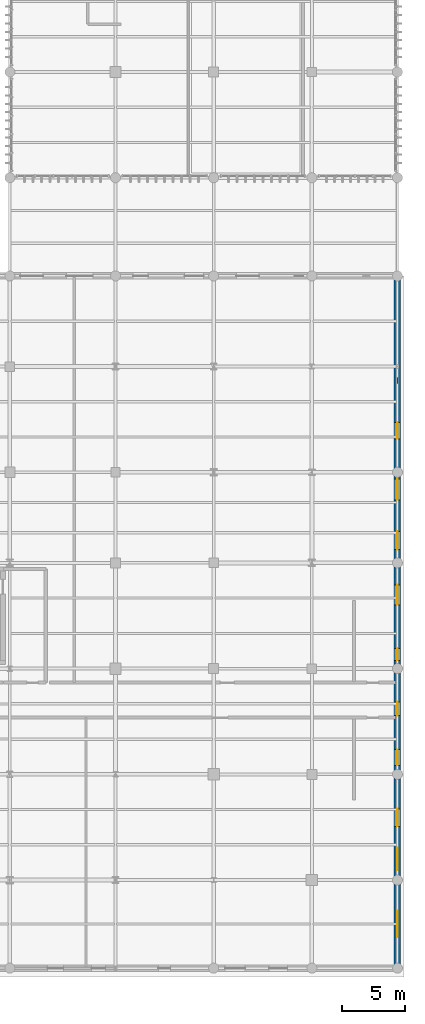
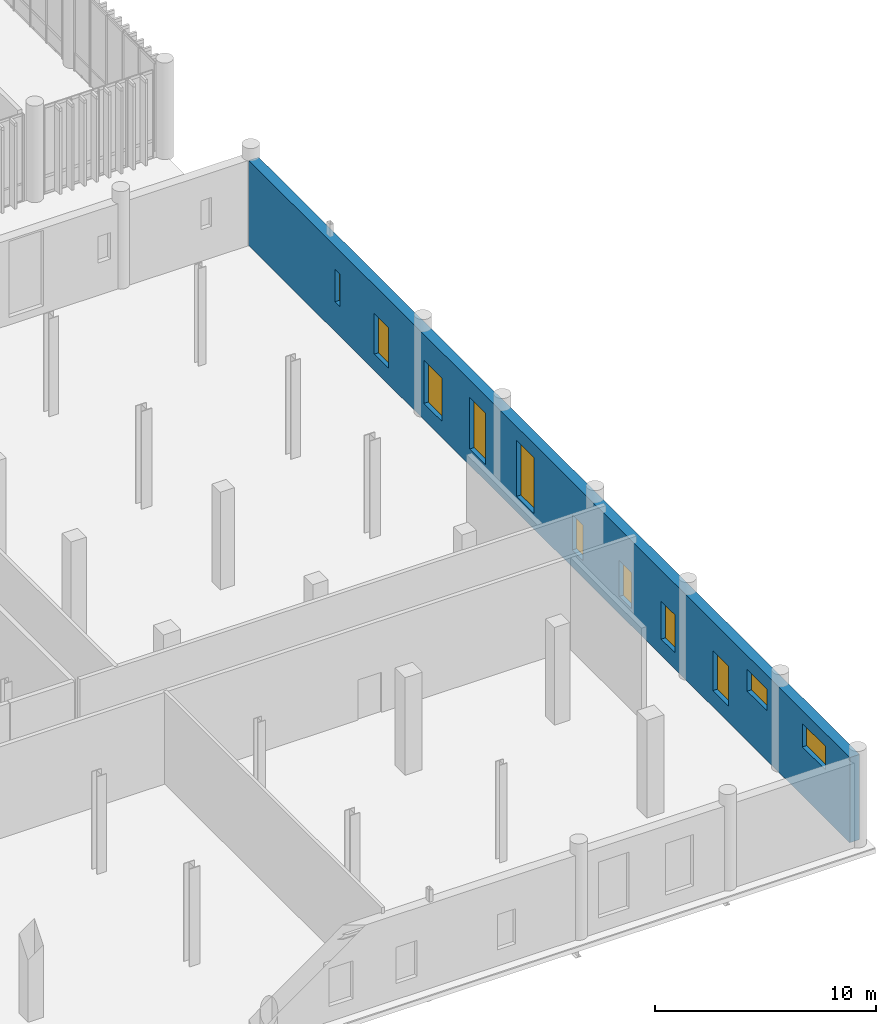
# One storey, part 111 of 128: 11 windows, 1 wall, 11 openings.
"""IFC4 building model written with IfcOpenShell, lengths in metres."""

from ifc_helpers import new_model, si_unit, direction, frame, frame_2d, origin_with_axes, place, context, subcontext, project, spatial, rectangle, extrude, material, layer, layer_set, type_object, element, fill, save


model = new_model("IFC4")

# Units and contexts
model_context = context("Model", 3, precision=1e-05, world=origin_with_axes(), true_north=direction((0.0, 1.0)))
body_context = subcontext(model_context, "Body", "Model", "MODEL_VIEW")
ifc_project = project(units=[si_unit("LENGTHUNIT", "METRE"), si_unit("AREAUNIT", "SQUARE_METRE"), si_unit("VOLUMEUNIT", "CUBIC_METRE"), si_unit("PLANEANGLEUNIT", "RADIAN"), si_unit("MASSUNIT", "GRAM", prefix="KILO"), si_unit("THERMODYNAMICTEMPERATUREUNIT", "KELVIN")], contexts=[model_context])

# Site, building, storey
site_placement = place(None, origin_with_axes())
site = spatial("IfcSite", under=ifc_project, at=site_placement, CompositionType="ELEMENT")
building_placement = place(site_placement, origin_with_axes())
building = spatial("IfcBuilding", under=site, at=building_placement, Name="Montbau Bow Law Courts", CompositionType="ELEMENT")
storey_placement = place(building_placement, frame((0.0, 0.0, 5.4), z_axis=(0.0, 0.0, 1.0), x_axis=(1.0, 0.0, 0.0)))
storey = spatial("IfcBuildingStorey", under=building, at=storey_placement, Name="L01", CompositionType="ELEMENT", Elevation=5.4)

# Wall, openings, windows
ifc_material_1 = material(Name="Canmore Rundlestone Plinth Masonry on Concrete Backing CSA A23.1 f'c 35 MPa", Category="masonry")
ifc_layer = layer(ifc_material_1, 0.52, Name="Solid Wall", Category="masonry")
ifc_layer_set = layer_set([ifc_layer], Name="Canmore Rundlestone Plinth Masonry on Concrete Backing CSA A23.1 f'c 35 MPa")
wall_type = type_object("IfcWallType", Name="W-EXT-02", PredefinedType="SOLIDWALL", material=ifc_layer_set)
wall_placement = place(None, frame((169.4, 7.06, 5.4), z_axis=(0.0, 0.0, 1.0), x_axis=(0.0, 1.0, 0.0)))
wall = element("IfcWall", 1, at=wall_placement, inside=storey, type_object=wall_type, Name="WE-L01-017:wal_0034", PredefinedType="SOLIDWALL", context=body_context, shape_type="SweptSolid", body=[
    extrude(rectangle(XDim=54.48, YDim=0.52, at=frame_2d((27.24, 0.0), x_axis=(1.0, 0.0))), origin_with_axes(), (0.0, 0.0, 1.0), 4.714),
])
opening_1_placement = place(None, frame((169.4, 10.31, 8.1), z_axis=(0.0, 0.0, 1.0), x_axis=(0.0, 1.0, 0.0)))
opening_1 = element("IfcOpeningElement", 2, at=opening_1_placement, cuts=wall, Name="OP-WN-L01-072", PredefinedType="OPENING", context=body_context, shape_type="SweptSolid", body=[
    extrude(rectangle(XDim=2.1, YDim=1.3, at=frame_2d((0.0, 0.65), x_axis=(1.0, 0.0))), frame((0.0, 0.27, 0.0), z_axis=(0.0, -1.0, 0.0), x_axis=(1.0, 0.0, 0.0)), (0.0, 0.0, 1.0), 0.54),
])
opening_2_placement = place(None, frame((169.4, 15.46, 8.15), z_axis=(0.0, 0.0, 1.0), x_axis=(0.0, 1.0, 0.0)))
opening_2 = element("IfcOpeningElement", 3, at=opening_2_placement, cuts=wall, Name="OP-WN-L01-073", PredefinedType="OPENING", context=body_context, shape_type="SweptSolid", body=[
    extrude(rectangle(XDim=1.8, YDim=1.2, at=frame_2d((0.0, 0.6), x_axis=(1.0, 0.0))), frame((0.0, 0.27, 0.0), z_axis=(0.0, -1.0, 0.0), x_axis=(1.0, 0.0, 0.0)), (0.0, 0.0, 1.0), 0.54),
])
opening_3_placement = place(None, frame((169.4, 18.76, 6.3), z_axis=(0.0, 0.0, 1.0), x_axis=(0.0, 1.0, 0.0)))
opening_3 = element("IfcOpeningElement", 4, at=opening_3_placement, cuts=wall, Name="OP-WN-L01-074", PredefinedType="OPENING", context=body_context, shape_type="SweptSolid", body=[
    extrude(rectangle(XDim=1.4, YDim=2.2, at=frame_2d((0.0, 1.1), x_axis=(1.0, 0.0))), frame((0.0, 0.27, 0.0), z_axis=(0.0, -1.0, 0.0), x_axis=(1.0, 0.0, 0.0)), (0.0, 0.0, 1.0), 0.54),
])
opening_4_placement = place(None, frame((169.4, 23.535, 6.3), z_axis=(0.0, 0.0, 1.0), x_axis=(0.0, 1.0, 0.0)))
opening_4 = element("IfcOpeningElement", 5, at=opening_4_placement, cuts=wall, Name="OP-WN-L01-075", PredefinedType="OPENING", context=body_context, shape_type="SweptSolid", body=[
    extrude(rectangle(XDim=1.25, YDim=2.1, at=frame_2d((0.0, 1.05), x_axis=(1.0, 0.0))), frame((0.0, 0.27, 0.0), z_axis=(0.0, -1.0, 0.0), x_axis=(1.0, 0.0, 0.0)), (0.0, 0.0, 1.0), 0.54),
])
opening_5_placement = place(None, frame((169.4, 27.41, 6.35), z_axis=(0.0, 0.0, 1.0), x_axis=(0.0, 1.0, 0.0)))
opening_5 = element("IfcOpeningElement", 6, at=opening_5_placement, cuts=wall, Name="OP-WN-L01-076", PredefinedType="OPENING", context=body_context, shape_type="SweptSolid", body=[
    extrude(rectangle(XDim=1.1, YDim=2.0, at=frame_2d((0.0, 1.0), x_axis=(1.0, 0.0))), frame((0.0, 0.27, 0.0), z_axis=(0.0, -1.0, 0.0), x_axis=(1.0, 0.0, 0.0)), (0.0, 0.0, 1.0), 0.54),
])
opening_6_placement = place(None, frame((169.4, 31.735, 6.35), z_axis=(0.0, 0.0, 1.0), x_axis=(0.0, 1.0, 0.0)))
opening_6 = element("IfcOpeningElement", 7, at=opening_6_placement, cuts=wall, Name="OP-WN-L01-077", PredefinedType="OPENING", context=body_context, shape_type="SweptSolid", body=[
    extrude(rectangle(XDim=0.95, YDim=1.95, at=frame_2d((0.0, 0.975), x_axis=(1.0, 0.0))), frame((0.0, 0.27, 0.0), z_axis=(0.0, -1.0, 0.0), x_axis=(1.0, 0.0, 0.0)), (0.0, 0.0, 1.0), 0.54),
])
opening_7_placement = place(None, frame((169.4, 36.46, 6.25), z_axis=(0.0, 0.0, 1.0), x_axis=(0.0, 1.0, 0.0)))
opening_7 = element("IfcOpeningElement", 8, at=opening_7_placement, cuts=wall, Name="OP-WN-L01-078", PredefinedType="OPENING", context=body_context, shape_type="SweptSolid", body=[
    extrude(rectangle(XDim=1.6, YDim=3.1, at=frame_2d((0.0, 1.55), x_axis=(1.0, 0.0))), frame((0.0, 0.27, 0.0), z_axis=(0.0, -1.0, 0.0), x_axis=(1.0, 0.0, 0.0)), (0.0, 0.0, 1.0), 0.54),
])
opening_8_placement = place(None, frame((169.4, 40.785, 6.3), z_axis=(0.0, 0.0, 1.0), x_axis=(0.0, 1.0, 0.0)))
opening_8 = element("IfcOpeningElement", 9, at=opening_8_placement, cuts=wall, Name="OP-WN-L01-079", PredefinedType="OPENING", context=body_context, shape_type="SweptSolid", body=[
    extrude(rectangle(XDim=1.45, YDim=2.85, at=frame_2d((0.0, 1.425), x_axis=(1.0, 0.0))), frame((0.0, 0.27, 0.0), z_axis=(0.0, -1.0, 0.0), x_axis=(1.0, 0.0, 0.0)), (0.0, 0.0, 1.0), 0.54),
])
opening_9_placement = place(None, frame((169.4, 44.835, 6.3), z_axis=(0.0, 0.0, 1.0), x_axis=(0.0, 1.0, 0.0)))
opening_9 = element("IfcOpeningElement", 10, at=opening_9_placement, cuts=wall, Name="OP-WN-L01-080", PredefinedType="OPENING", context=body_context, shape_type="SweptSolid", body=[
    extrude(rectangle(XDim=1.65, YDim=2.4, at=frame_2d((0.0, 1.2), x_axis=(1.0, 0.0))), frame((0.0, 0.27, 0.0), z_axis=(0.0, -1.0, 0.0), x_axis=(1.0, 0.0, 0.0)), (0.0, 0.0, 1.0), 0.54),
])
opening_10_placement = place(None, frame((169.4, 49.51, 6.3), z_axis=(0.0, 0.0, 1.0), x_axis=(0.0, 1.0, 0.0)))
opening_10 = element("IfcOpeningElement", 11, at=opening_10_placement, cuts=wall, Name="OP-WN-L01-081", PredefinedType="OPENING", context=body_context, shape_type="SweptSolid", body=[
    extrude(rectangle(XDim=1.3, YDim=2.25, at=frame_2d((0.0, 1.125), x_axis=(1.0, 0.0))), frame((0.0, 0.27, 0.0), z_axis=(0.0, -1.0, 0.0), x_axis=(1.0, 0.0, 0.0)), (0.0, 0.0, 1.0), 0.54),
])
opening_11_placement = place(None, frame((169.4, 53.485, 7.05), z_axis=(0.0, 0.0, 1.0), x_axis=(0.0, 1.0, 0.0)))
opening_11 = element("IfcOpeningElement", 12, at=opening_11_placement, cuts=wall, Name="OP-WN-L01-082", PredefinedType="OPENING", context=body_context, shape_type="SweptSolid", body=[
    extrude(rectangle(XDim=0.45, YDim=1.8, at=frame_2d((0.0, 0.9), x_axis=(1.0, 0.0))), frame((0.0, 0.27, 0.0), z_axis=(0.0, -1.0, 0.0), x_axis=(1.0, 0.0, 0.0)), (0.0, 0.0, 1.0), 0.54),
])
ifc_material_2 = material(Name="Triple-Glazed Low-E Argon Insulating Glass Unit", Category="glass")
window_type_1 = type_object("IfcWindowType", Name="WN-APP-01", ParameterTakesPrecedence=False, PartitioningType="SINGLE_PANEL", PredefinedType="WINDOW", material=ifc_material_2)
window_1_placement = place(None, frame((169.4, 44.835, 6.3), z_axis=(0.0, 0.0, 1.0), x_axis=(0.0, 1.0, 0.0)))
window_1 = element("IfcWindow", 13, at=window_1_placement, inside=storey, type_object=window_type_1, Name="WN-L01-080:win_0080", OverallHeight=2.4, OverallWidth=1.65, PartitioningType="SINGLE_PANEL", PredefinedType="WINDOW", context=body_context, shape_type="SweptSolid", body=[
    extrude(rectangle(XDim=1.65, YDim=2.4, at=frame_2d((0.0, 1.2), x_axis=(1.0, 0.0))), frame((0.0, 0.03, 0.0), z_axis=(0.0, -1.0, 0.0), x_axis=(1.0, 0.0, 0.0)), (0.0, 0.0, 1.0), 0.06),
])
fill(opening_9, window_1)
window_type_2 = type_object("IfcWindowType", Name="WN-APP-02", ParameterTakesPrecedence=False, PartitioningType="SINGLE_PANEL", PredefinedType="WINDOW", material=ifc_material_2)
window_2_placement = place(None, frame((169.4, 49.51, 6.3), z_axis=(0.0, 0.0, 1.0), x_axis=(0.0, 1.0, 0.0)))
window_2 = element("IfcWindow", 14, at=window_2_placement, inside=storey, type_object=window_type_2, Name="WN-L01-081:win_0081", OverallHeight=2.25, OverallWidth=1.3, PartitioningType="SINGLE_PANEL", PredefinedType="WINDOW", context=body_context, shape_type="SweptSolid", body=[
    extrude(rectangle(XDim=1.3, YDim=2.25, at=frame_2d((0.0, 1.125), x_axis=(1.0, 0.0))), frame((0.0, 0.03, 0.0), z_axis=(0.0, -1.0, 0.0), x_axis=(1.0, 0.0, 0.0)), (0.0, 0.0, 1.0), 0.06),
])
fill(opening_10, window_2)
window_type_3 = type_object("IfcWindowType", Name="WN-CHM-01", ParameterTakesPrecedence=False, PartitioningType="SINGLE_PANEL", PredefinedType="WINDOW", material=ifc_material_2)
window_3_placement = place(None, frame((169.4, 18.76, 6.3), z_axis=(0.0, 0.0, 1.0), x_axis=(0.0, 1.0, 0.0)))
window_3 = element("IfcWindow", 15, at=window_3_placement, inside=storey, type_object=window_type_3, Name="WN-L01-074:win_0074", OverallHeight=2.2, OverallWidth=1.4, PartitioningType="SINGLE_PANEL", PredefinedType="WINDOW", context=body_context, shape_type="SweptSolid", body=[
    extrude(rectangle(XDim=1.4, YDim=2.2, at=frame_2d((0.0, 1.1), x_axis=(1.0, 0.0))), frame((0.0, 0.03, 0.0), z_axis=(0.0, -1.0, 0.0), x_axis=(1.0, 0.0, 0.0)), (0.0, 0.0, 1.0), 0.06),
])
fill(opening_3, window_3)
window_type_4 = type_object("IfcWindowType", Name="WN-CHM-02", ParameterTakesPrecedence=False, PartitioningType="SINGLE_PANEL", PredefinedType="WINDOW", material=ifc_material_2)
window_4_placement = place(None, frame((169.4, 23.535, 6.3), z_axis=(0.0, 0.0, 1.0), x_axis=(0.0, 1.0, 0.0)))
window_4 = element("IfcWindow", 16, at=window_4_placement, inside=storey, type_object=window_type_4, Name="WN-L01-075:win_0075", OverallHeight=2.1, OverallWidth=1.25, PartitioningType="SINGLE_PANEL", PredefinedType="WINDOW", context=body_context, shape_type="SweptSolid", body=[
    extrude(rectangle(XDim=1.25, YDim=2.1, at=frame_2d((0.0, 1.05), x_axis=(1.0, 0.0))), frame((0.0, 0.03, 0.0), z_axis=(0.0, -1.0, 0.0), x_axis=(1.0, 0.0, 0.0)), (0.0, 0.0, 1.0), 0.06),
])
fill(opening_4, window_4)
window_type_5 = type_object("IfcWindowType", Name="WN-CHM-03", ParameterTakesPrecedence=False, PartitioningType="SINGLE_PANEL", PredefinedType="WINDOW", material=ifc_material_2)
window_5_placement = place(None, frame((169.4, 27.41, 6.35), z_axis=(0.0, 0.0, 1.0), x_axis=(0.0, 1.0, 0.0)))
window_5 = element("IfcWindow", 17, at=window_5_placement, inside=storey, type_object=window_type_5, Name="WN-L01-076:win_0076", OverallHeight=2.0, OverallWidth=1.1, PartitioningType="SINGLE_PANEL", PredefinedType="WINDOW", context=body_context, shape_type="SweptSolid", body=[
    extrude(rectangle(XDim=1.1, YDim=2.0, at=frame_2d((0.0, 1.0), x_axis=(1.0, 0.0))), frame((0.0, 0.03, 0.0), z_axis=(0.0, -1.0, 0.0), x_axis=(1.0, 0.0, 0.0)), (0.0, 0.0, 1.0), 0.06),
])
fill(opening_5, window_5)
window_type_6 = type_object("IfcWindowType", Name="WN-CHM-04", ParameterTakesPrecedence=False, PartitioningType="SINGLE_PANEL", PredefinedType="WINDOW", material=ifc_material_2)
window_6_placement = place(None, frame((169.4, 31.735, 6.35), z_axis=(0.0, 0.0, 1.0), x_axis=(0.0, 1.0, 0.0)))
window_6 = element("IfcWindow", 18, at=window_6_placement, inside=storey, type_object=window_type_6, Name="WN-L01-077:win_0077", OverallHeight=1.95, OverallWidth=0.95, PartitioningType="SINGLE_PANEL", PredefinedType="WINDOW", context=body_context, shape_type="SweptSolid", body=[
    extrude(rectangle(XDim=0.95, YDim=1.95, at=frame_2d((0.0, 0.975), x_axis=(1.0, 0.0))), frame((0.0, 0.03, 0.0), z_axis=(0.0, -1.0, 0.0), x_axis=(1.0, 0.0, 0.0)), (0.0, 0.0, 1.0), 0.06),
])
fill(opening_6, window_6)
window_type_7 = type_object("IfcWindowType", Name="WN-CRT-02", ParameterTakesPrecedence=False, PartitioningType="SINGLE_PANEL", PredefinedType="WINDOW", material=ifc_material_2)
window_7_placement = place(None, frame((169.4, 10.31, 8.1), z_axis=(0.0, 0.0, 1.0), x_axis=(0.0, 1.0, 0.0)))
window_7 = element("IfcWindow", 19, at=window_7_placement, inside=storey, type_object=window_type_7, Name="WN-L01-072:win_0072", OverallHeight=1.3, OverallWidth=2.1, PartitioningType="SINGLE_PANEL", PredefinedType="WINDOW", context=body_context, shape_type="SweptSolid", body=[
    extrude(rectangle(XDim=2.1, YDim=1.3, at=frame_2d((0.0, 0.65), x_axis=(1.0, 0.0))), frame((0.0, 0.03, 0.0), z_axis=(0.0, -1.0, 0.0), x_axis=(1.0, 0.0, 0.0)), (0.0, 0.0, 1.0), 0.06),
])
fill(opening_1, window_7)
window_type_8 = type_object("IfcWindowType", Name="WN-CRT-03", ParameterTakesPrecedence=False, PartitioningType="SINGLE_PANEL", PredefinedType="WINDOW", material=ifc_material_2)
window_8_placement = place(None, frame((169.4, 15.46, 8.15), z_axis=(0.0, 0.0, 1.0), x_axis=(0.0, 1.0, 0.0)))
window_8 = element("IfcWindow", 20, at=window_8_placement, inside=storey, type_object=window_type_8, Name="WN-L01-073:win_0073", OverallHeight=1.2, OverallWidth=1.8, PartitioningType="SINGLE_PANEL", PredefinedType="WINDOW", context=body_context, shape_type="SweptSolid", body=[
    extrude(rectangle(XDim=1.8, YDim=1.2, at=frame_2d((0.0, 0.6), x_axis=(1.0, 0.0))), frame((0.0, 0.03, 0.0), z_axis=(0.0, -1.0, 0.0), x_axis=(1.0, 0.0, 0.0)), (0.0, 0.0, 1.0), 0.06),
])
fill(opening_2, window_8)
ifc_material_3 = material(Name="Laminated Ballistic-Resistant Triple Security Glazing", Category="glass")
window_type_9 = type_object("IfcWindowType", Name="WN-CUS-01", ParameterTakesPrecedence=False, PartitioningType="SINGLE_PANEL", PredefinedType="WINDOW", material=ifc_material_3)
window_9_placement = place(None, frame((169.4, 53.485, 7.05), z_axis=(0.0, 0.0, 1.0), x_axis=(0.0, 1.0, 0.0)))
window_9 = element("IfcWindow", 21, at=window_9_placement, inside=storey, type_object=window_type_9, Name="WN-L01-082:win_0082", OverallHeight=1.8, OverallWidth=0.45, PartitioningType="SINGLE_PANEL", PredefinedType="WINDOW", context=body_context, shape_type="SweptSolid", body=[
    extrude(rectangle(XDim=0.45, YDim=1.8, at=frame_2d((0.0, 0.9), x_axis=(1.0, 0.0))), frame((0.0, 0.03, 0.0), z_axis=(0.0, -1.0, 0.0), x_axis=(1.0, 0.0, 0.0)), (0.0, 0.0, 1.0), 0.06),
])
fill(opening_11, window_9)
window_type_10 = type_object("IfcWindowType", Name="WN-LIB-01", ParameterTakesPrecedence=False, PartitioningType="SINGLE_PANEL", PredefinedType="WINDOW", material=ifc_material_2)
window_10_placement = place(None, frame((169.4, 36.46, 6.25), z_axis=(0.0, 0.0, 1.0), x_axis=(0.0, 1.0, 0.0)))
window_10 = element("IfcWindow", 22, at=window_10_placement, inside=storey, type_object=window_type_10, Name="WN-L01-078:win_0078", OverallHeight=3.1, OverallWidth=1.6, PartitioningType="SINGLE_PANEL", PredefinedType="WINDOW", context=body_context, shape_type="SweptSolid", body=[
    extrude(rectangle(XDim=1.6, YDim=3.1, at=frame_2d((0.0, 1.55), x_axis=(1.0, 0.0))), frame((0.0, 0.03, 0.0), z_axis=(0.0, -1.0, 0.0), x_axis=(1.0, 0.0, 0.0)), (0.0, 0.0, 1.0), 0.06),
])
fill(opening_7, window_10)
window_type_11 = type_object("IfcWindowType", Name="WN-LIB-02", ParameterTakesPrecedence=False, PartitioningType="SINGLE_PANEL", PredefinedType="WINDOW", material=ifc_material_2)
window_11_placement = place(None, frame((169.4, 40.785, 6.3), z_axis=(0.0, 0.0, 1.0), x_axis=(0.0, 1.0, 0.0)))
window_11 = element("IfcWindow", 23, at=window_11_placement, inside=storey, type_object=window_type_11, Name="WN-L01-079:win_0079", OverallHeight=2.85, OverallWidth=1.45, PartitioningType="SINGLE_PANEL", PredefinedType="WINDOW", context=body_context, shape_type="SweptSolid", body=[
    extrude(rectangle(XDim=1.45, YDim=2.85, at=frame_2d((0.0, 1.425), x_axis=(1.0, 0.0))), frame((0.0, 0.03, 0.0), z_axis=(0.0, -1.0, 0.0), x_axis=(1.0, 0.0, 0.0)), (0.0, 0.0, 1.0), 0.06),
])
fill(opening_8, window_11)

save(model, "model.ifc")
